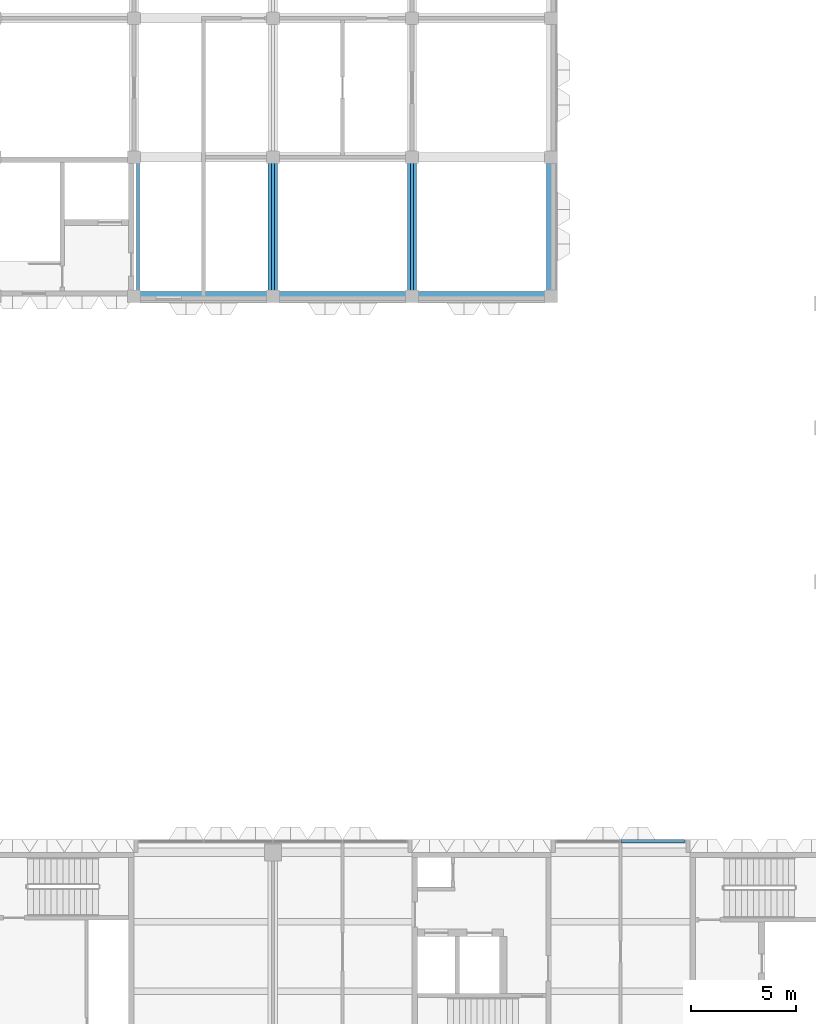
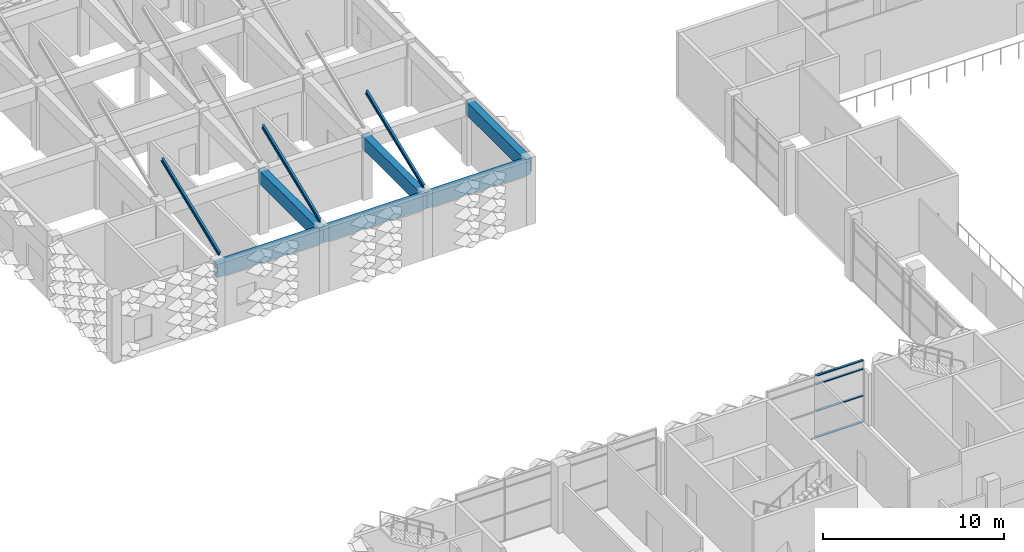
# One storey, part 10 of 102: 9 beams, 4 members, 1 element without a shape of its own.
"""IFC4 building model written with IfcOpenShell, lengths in metres."""

from ifc_helpers import new_model, si_unit, direction, frame, origin, origin_2d, place, context, subcontext, project, spatial, rectangle, i_section, extrude, material, material_profile, profile_set, type_object, element, aggregate, save


model = new_model("IFC4")

# Units and contexts
model_context = context("Model", 3, precision=1e-05, world=origin(), true_north=direction((0.0, 1.0)))
body_context = subcontext(model_context, "Body", "Model", "MODEL_VIEW")
ifc_project = project(units=[si_unit("LENGTHUNIT", "METRE"), si_unit("AREAUNIT", "SQUARE_METRE"), si_unit("VOLUMEUNIT", "CUBIC_METRE"), si_unit("PLANEANGLEUNIT", "RADIAN"), si_unit("MASSUNIT", "GRAM", prefix="KILO")], contexts=[model_context])

# Site, building, storey
site_placement = place(None, origin())
site = spatial("IfcSite", under=ifc_project, at=site_placement, CompositionType="ELEMENT")
building_placement = place(site_placement, origin())
building = spatial("IfcBuilding", under=site, at=building_placement, Name="Lantern Court Research Institute", CompositionType="ELEMENT")
storey_placement = place(building_placement, frame((0.0, 0.0, 9.89990234375)))
storey = spatial("IfcBuildingStorey", under=building, at=storey_placement, Name="L02", CompositionType="ELEMENT", Elevation=9.89990234375)

# Beams
ifc_material_1 = material(Name="Concrete C40/50", Category="concrete")
ifc_material_profile_1 = material_profile(ifc_material_1, rectangle(XDim=0.449951171875, YDim=0.89990234375, at=origin_2d()), Name="Clean room beam 450 x 900")
ifc_profile_set_1 = profile_set([ifc_material_profile_1], Name="Concrete C40/50")
beam_type_1 = type_object("IfcBeamType", Name="Clean room beam 450 x 900", PredefinedType="BEAM", material=ifc_profile_set_1)
beam_1_placement = place(storey_placement, frame((6.449951171875, 49.5, 3.800048828125), z_axis=(1.0, 0.0, 0.0), x_axis=(0.0, 1.0, 0.0)))
element("IfcBeam", 1, at=beam_1_placement, inside=storey, type_object=beam_type_1, Name="Clean room beam", PredefinedType="BEAM", context=body_context, shape_type="SweptSolid", body=[
    extrude(rectangle(XDim=0.449951171875, YDim=0.89990234375, at=origin_2d()), origin(), (0.0, 0.0, 1.0), 6.75),
])
beam_2_placement = place(storey_placement, frame((13.199951171875, 49.5, 3.800048828125), z_axis=(1.0, 0.0, 0.0), x_axis=(0.0, 1.0, 0.0)))
element("IfcBeam", 2, at=beam_2_placement, inside=storey, type_object=beam_type_1, Name="Clean room beam", PredefinedType="BEAM", context=body_context, shape_type="SweptSolid", body=[
    extrude(rectangle(XDim=0.449951171875, YDim=0.89990234375, at=origin_2d()), origin(), (0.0, 0.0, 1.0), 6.60009765625),
])
beam_3_placement = place(storey_placement, frame((19.800048828125, 49.5, 3.800048828125), z_axis=(1.0, 0.0, 0.0), x_axis=(0.0, 1.0, 0.0)))
element("IfcBeam", 3, at=beam_3_placement, inside=storey, type_object=beam_type_1, Name="Clean room beam", PredefinedType="BEAM", context=body_context, shape_type="SweptSolid", body=[
    extrude(rectangle(XDim=0.449951171875, YDim=0.89990234375, at=origin_2d()), origin(), (0.0, 0.0, 1.0), 6.599853515625),
])
for number, where, z_axis, x_axis, name in (
    (4, (13.199951171875, 49.5, 3.800048828125), (0.0, 1.0, 0.0), (-1.0, 0.0, 0.0), "Clean room beam"),
    (5, (19.800048828125, 49.5, 3.800048828125), (0.0, 1.0, 0.0), (-1.0, 0.0, 0.0), "Clean room beam"),
    (6, (26.39990234375, 49.5, 3.800048828125), (0.0, 1.0, 0.0), (-1.0, 0.0, 0.0), "Clean room beam"),
):
    element("IfcBeam", number, at=place(storey_placement, frame(where, z_axis=z_axis, x_axis=x_axis)), inside=storey, type_object=beam_type_1, Name=name, PredefinedType="BEAM", context=body_context, shape_type="SweptSolid", body=[
        extrude(rectangle(XDim=0.449951171875, YDim=0.89990234375, at=origin_2d()), origin(), (0.0, 0.0, 1.0), 6.60009765625),
    ])
ifc_material_2 = material(Name="Structural steel S355", Category="steel")
ifc_material_profile_2 = material_profile(ifc_material_2, i_section(OverallWidth=0.135009765625, OverallDepth=0.27001953125, WebThickness=0.006591796875, FlangeThickness=0.01025390625, FilletRadius=0.014892578125, at=origin_2d()), Name="IPE 270")
ifc_profile_set_2 = profile_set([ifc_material_profile_2], Name="Structural steel S355")
beam_type_2 = type_object("IfcBeamType", Name="Sawtooth rafter IPE 270", PredefinedType="BEAM", material=ifc_profile_set_2)
for number, where, z_axis, x_axis, name in (
    (7, (6.79248046875, 49.625, 4.62548828125), (0.0, 0.928476690885, 0.371390676354), (-1.0, 0.0, 0.0), "Sawtooth rafter"),
    (8, (13.199951171875, 49.625, 4.62548828125), (0.0, 0.928476690885, 0.371390676354), (-1.0, 0.0, 0.0), "Sawtooth rafter"),
    (9, (19.800048828125, 49.625, 4.62548828125), (0.0, 0.928476690885, 0.371390676354), (-1.0, 0.0, 0.0), "Sawtooth rafter"),
):
    element("IfcBeam", number, at=place(storey_placement, frame(where, z_axis=z_axis, x_axis=x_axis)), inside=storey, type_object=beam_type_2, Name=name, PredefinedType="BEAM", context=body_context, shape_type="SweptSolid", body=[
        extrude(i_section(OverallWidth=0.135009765625, OverallDepth=0.27001953125, WebThickness=0.006591796875, FlangeThickness=0.01025390625, FilletRadius=0.014892578125, at=origin_2d()), origin(), (0.0, 0.0, 1.0), 6.83935546875),
    ])

# Curtain wall, members
ifc_material_3 = material(Name="Aluminium alloy 6063-T6", Category="aluminium")
curtain_wall_type = type_object("IfcCurtainWallType", Name="Curtain wall 6200 x 4200 x 150 aluminium frame", PredefinedType="NOTDEFINED", material=ifc_material_3)
curtain_wall_placement = place(storey_placement, origin())
curtain_wall = element("IfcCurtainWall", 10, at=curtain_wall_placement, inside=storey, type_object=curtain_wall_type, Name="Curtain wall CW040", PredefinedType="NOTDEFINED")
ifc_material_4 = material(Name="Aluminium alloy 6063-T6", Category="aluminium")
ifc_material_profile_3 = material_profile(ifc_material_4, rectangle(XDim=0.14990234375, YDim=0.06005859375, at=origin_2d()), Name="Transom 150 x 60")
ifc_profile_set_3 = profile_set([ifc_material_profile_3], Name="Aluminium alloy 6063-T6")
member_type = type_object("IfcMemberType", Name="Transom 150 x 60 aluminium", PredefinedType="USERDEFINED", material=ifc_profile_set_3)
member_1_placement = place(storey_placement, frame((29.72998046875, 23.625, 0.030029296875), z_axis=(1.0, 0.0, 0.0), x_axis=(0.0, 1.0, 0.0)))
member_1 = element("IfcMember", 11, at=member_1_placement, type_object=member_type, Name="CW040 transom 2.1", ObjectType="TRANSOM", PredefinedType="USERDEFINED", context=body_context, shape_type="SweptSolid", body=[
    extrude(rectangle(XDim=0.14990234375, YDim=0.06005859375, at=origin_2d()), origin(), (0.0, 0.0, 1.0), 3.010009765625),
])
member_2_placement = place(storey_placement, frame((29.72998046875, 23.625, 1.800048828125), z_axis=(1.0, 0.0, 0.0), x_axis=(0.0, 1.0, 0.0)))
member_2 = element("IfcMember", 12, at=member_2_placement, type_object=member_type, Name="CW040 transom 2.2", ObjectType="TRANSOM", PredefinedType="USERDEFINED", context=body_context, shape_type="SweptSolid", body=[
    extrude(rectangle(XDim=0.14990234375, YDim=0.06005859375, at=origin_2d()), origin(), (0.0, 0.0, 1.0), 3.010009765625),
])
member_3_placement = place(storey_placement, frame((29.72998046875, 23.625, 3.60009765625), z_axis=(1.0, 0.0, 0.0), x_axis=(0.0, 1.0, 0.0)))
member_3 = element("IfcMember", 13, at=member_3_placement, type_object=member_type, Name="CW040 transom 2.3", ObjectType="TRANSOM", PredefinedType="USERDEFINED", context=body_context, shape_type="SweptSolid", body=[
    extrude(rectangle(XDim=0.14990234375, YDim=0.06005859375, at=origin_2d()), origin(), (0.0, 0.0, 1.0), 3.010009765625),
])
member_4_placement = place(storey_placement, frame((29.72998046875, 23.625, 4.170166015625), z_axis=(1.0, 0.0, 0.0), x_axis=(0.0, 1.0, 0.0)))
member_4 = element("IfcMember", 14, at=member_4_placement, type_object=member_type, Name="CW040 transom 2.4", ObjectType="TRANSOM", PredefinedType="USERDEFINED", context=body_context, shape_type="SweptSolid", body=[
    extrude(rectangle(XDim=0.14990234375, YDim=0.06005859375, at=origin_2d()), origin(), (0.0, 0.0, 1.0), 3.010009765625),
])
aggregate(curtain_wall, [member_1, member_2, member_3, member_4])

save(model, "model.ifc")
